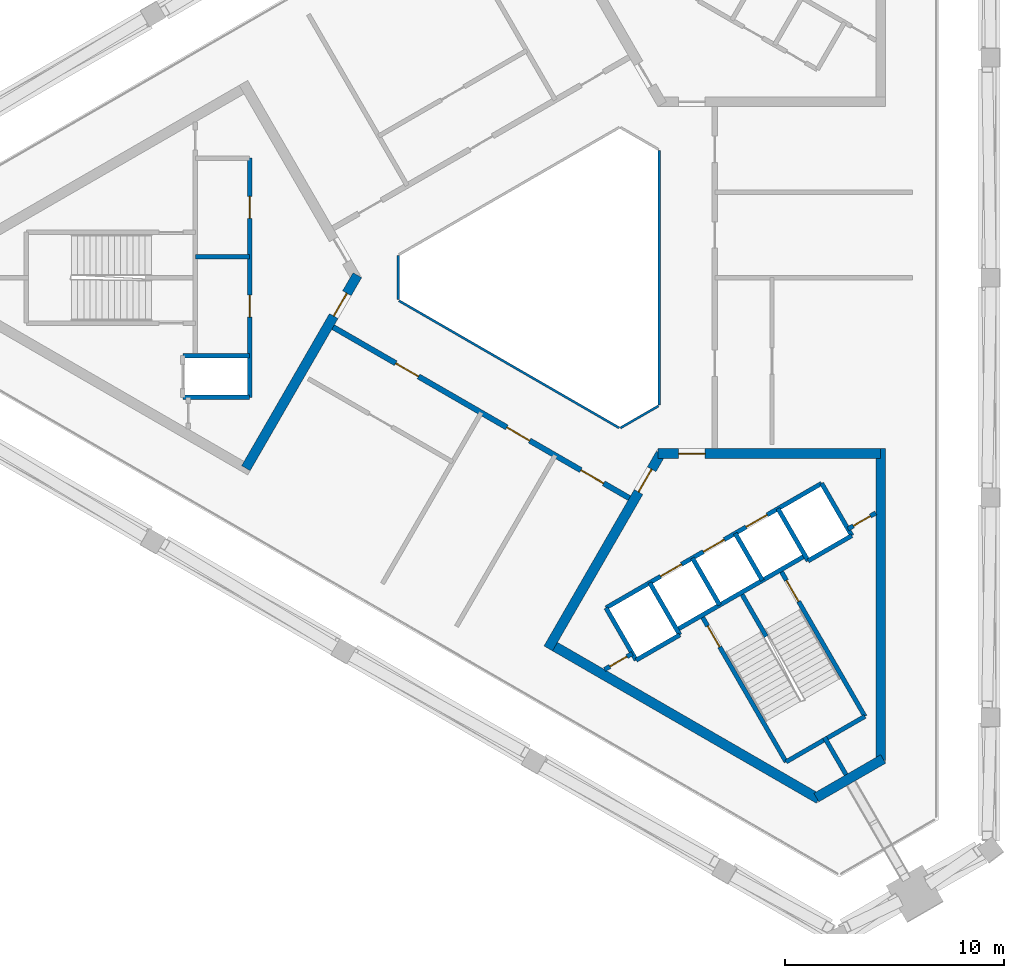
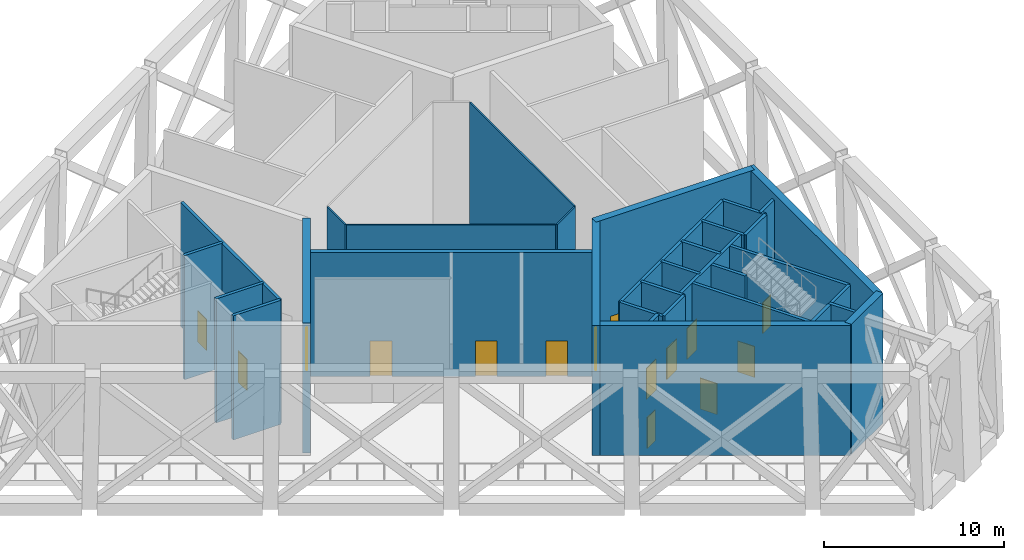
# One storey, part 4 of 8: 32 walls, 15 doors, 15 openings.
"""IFC4 building model written with IfcOpenShell, lengths in metres."""

from ifc_helpers import new_model, si_unit, direction, frame, frame_2d, origin, place, context, subcontext, project, spatial, rectangle, extrude, material, layer, layer_set, type_object, element, fill, save


model = new_model("IFC4")

# Units and contexts
model_context = context("Model", 3, precision=1e-05, world=origin(), true_north=direction((0.0, 1.0)))
body_context = subcontext(model_context, "Body", "Model", "MODEL_VIEW")
ifc_project = project(units=[si_unit("LENGTHUNIT", "METRE"), si_unit("AREAUNIT", "SQUARE_METRE"), si_unit("VOLUMEUNIT", "CUBIC_METRE"), si_unit("PLANEANGLEUNIT", "RADIAN"), si_unit("MASSUNIT", "GRAM", prefix="KILO")], contexts=[model_context])

# Site, building, storey
site_placement = place(None, origin())
site = spatial("IfcSite", under=ifc_project, at=site_placement, CompositionType="ELEMENT")
building_placement = place(site_placement, origin())
building = spatial("IfcBuilding", under=site, at=building_placement, Name="Jabali Bay Hotel Tower and Convention Centre", CompositionType="ELEMENT")
storey_placement = place(building_placement, frame((0.0, 0.0, 246.5)))
storey = spatial("IfcBuildingStorey", under=building, at=storey_placement, Name="L61", CompositionType="ELEMENT", Elevation=246.5)

# Walls
ifc_material_1 = material(Name="Fire-resistant glazing", Category="glass")
ifc_layer_1 = layer(ifc_material_1, 0.10009765625)
ifc_layer_set_1 = layer_set([ifc_layer_1], Name="Fire-resistant glazing")
wall_type_1 = type_object("IfcWallType", Name="Atrium glazed screen 100", PredefinedType="PARTITIONING", material=ifc_layer_set_1)
wall_1_placement = place(storey_placement, frame((79.56005859375, 74.205810546875, 0.0), z_axis=(0.0, 0.0, 1.0), x_axis=(0.0, 1.0, 0.0)))
element("IfcWall", 1, at=wall_1_placement, inside=storey, type_object=wall_type_1, Name="Atrium screen 1 L61", PredefinedType="PARTITIONING", context=body_context, shape_type="SweptSolid", body=[
    extrude(rectangle(XDim=11.58837890625, YDim=0.10009765625, at=frame_2d((5.794189453125, 0.0))), origin(), (0.0, 0.0, 1.0), 8.39990234375),
])
wall_2_placement = place(storey_placement, frame((67.672119140625, 81.0, 0.0), z_axis=(0.0, 0.0, 1.0), x_axis=(0.0, -1.0, 0.0)))
element("IfcWall", 2, at=wall_2_placement, inside=storey, type_object=wall_type_1, Name="Atrium screen 4 L61", PredefinedType="PARTITIONING", context=body_context, shape_type="SweptSolid", body=[
    extrude(rectangle(XDim=2.0, YDim=0.10009765625, at=frame_2d((1.0, 0.0))), origin(), (0.0, 0.0, 1.0), 8.39990234375),
])
wall_3_placement = place(storey_placement, frame((67.7021484375, 78.947998046875, 0.0), z_axis=(0.0, 0.0, 1.0), x_axis=(0.866026658274, -0.499997827154, 0.0)))
element("IfcWall", 3, at=wall_3_placement, inside=storey, type_object=wall_type_1, Name="Atrium screen 5 L61", PredefinedType="PARTITIONING", context=body_context, shape_type="SweptSolid", body=[
    extrude(rectangle(XDim=11.58837890625, YDim=0.10009765625, at=frame_2d((5.794189453125, 0.0))), origin(), (0.0, 0.0, 1.0), 8.39990234375),
])
wall_4_placement = place(storey_placement, frame((77.7978515625, 73.15380859375, 0.0), z_axis=(0.0, 0.0, 1.0), x_axis=(0.866041268327, 0.499972520799, 0.0)))
element("IfcWall", 4, at=wall_4_placement, inside=storey, type_object=wall_type_1, Name="Atrium screen 6 L61", PredefinedType="PARTITIONING", context=body_context, shape_type="SweptSolid", body=[
    extrude(rectangle(XDim=2.0, YDim=0.10009765625, at=frame_2d((1.0, 0.0))), origin(), (0.0, 0.0, 1.0), 8.39990234375),
])
ifc_material_2 = material(Name="Concrete C40", Category="concrete")
ifc_layer_2 = layer(ifc_material_2, 0.199951171875)
ifc_layer_set_2 = layer_set([ifc_layer_2], Name="Concrete C40")
wall_type_2 = type_object("IfcWallType", Name="Core partition wall 200", PredefinedType="PARTITIONING", material=ifc_layer_set_2)
wall_5_placement = place(storey_placement, frame((87.090087890625, 59.0595703125, 0.0), z_axis=(0.0, 0.0, 1.0), x_axis=(0.500011643316, -0.866018681408, 0.0)))
element("IfcWall", 5, at=wall_5_placement, inside=storey, type_object=wall_type_2, Name="Core wall 2.5 L61", PredefinedType="PARTITIONING", context=body_context, shape_type="SweptSolid", body=[
    extrude(rectangle(XDim=1.97314453125, YDim=0.199951171875, at=frame_2d((0.986572265625, 0.0))), origin(), (0.0, 0.0, 1.0), 8.39990234375),
])

# Wall, opening, door
wall_6_placement = place(storey_placement, frame((77.070068359375, 62.142578125, 0.0), z_axis=(0.0, 0.0, 1.0), x_axis=(0.866013036001, 0.500021421018, 0.0)))
wall_6 = element("IfcWall", 6, at=wall_6_placement, inside=storey, type_object=wall_type_2, Name="Core wall 2.11 L61", PredefinedType="PARTITIONING", context=body_context, shape_type="SweptSolid", body=[
    extrude(rectangle(XDim=1.4609375, YDim=0.199951171875, at=frame_2d((0.73046875, 0.0))), origin(), (0.0, 0.0, 1.0), 8.39990234375),
])
opening_1_placement = place(wall_6_placement, frame((0.280517578125, 0.0, 0.0)))
opening_1 = element("IfcOpeningElement", 7, at=opening_1_placement, cuts=wall_6, Name="Opening D1349", PredefinedType="OPENING", context=body_context, shape_type="SweptSolid", body=[
    extrude(rectangle(XDim=0.89990234375, YDim=2.10009765625, at=frame_2d((0.449951171875, 1.050048828125))), frame((0.0, 0.1103515625, 0.0), z_axis=(0.0, -1.0, 0.0), x_axis=(1.0, 0.0, 0.0)), (0.0, 0.0, 1.0), 0.220947265625),
])
ifc_material_3 = material(Name="Fire-rated steel door", Category="steel")
door_type_1 = type_object("IfcDoorType", Name="Vestibule fire door 900 x 2100", OperationType="NOTDEFINED", PredefinedType="NOTDEFINED", material=ifc_material_3)
door_1_placement = place(opening_1_placement, origin())
door_1 = element("IfcDoor", 8, at=door_1_placement, inside=storey, type_object=door_type_1, Name="Vestibule fire door D1349", OperationType="SINGLE_SWING_LEFT", OverallHeight=2.10009765625, OverallWidth=0.89990234375, PredefinedType="NOTDEFINED", context=body_context, shape_type="SweptSolid", body=[
    extrude(rectangle(XDim=0.89990234375, YDim=2.10009765625, at=frame_2d((0.449951171875, 1.050048828125))), frame((0.0, 0.02490234375, 0.0), z_axis=(0.0, -1.0, 0.0), x_axis=(1.0, 0.0, 0.0)), (0.0, 0.0, 1.0), 0.050048828125),
])
fill(opening_1, door_1)

wall_7_placement = place(storey_placement, frame((88.164794921875, 68.548095703125, 0.0), z_axis=(0.0, 0.0, 1.0), x_axis=(0.866013036001, 0.500021421018, 0.0)))
wall_7 = element("IfcWall", 9, at=wall_7_placement, inside=storey, type_object=wall_type_2, Name="Core wall 2.12 L61", PredefinedType="PARTITIONING", context=body_context, shape_type="SweptSolid", body=[
    extrude(rectangle(XDim=1.4609375, YDim=0.199951171875, at=frame_2d((0.73046875, 0.0))), origin(), (0.0, 0.0, 1.0), 8.39990234375),
])
opening_2_placement = place(wall_7_placement, frame((0.280517578125, 0.0, 0.0)))
opening_2 = element("IfcOpeningElement", 10, at=opening_2_placement, cuts=wall_7, Name="Opening D1348", PredefinedType="OPENING", context=body_context, shape_type="SweptSolid", body=[
    extrude(rectangle(XDim=0.89990234375, YDim=2.10009765625, at=frame_2d((0.449951171875, 1.050048828125))), frame((0.0, 0.1103515625, 0.0), z_axis=(0.0, -1.0, 0.0), x_axis=(1.0, 0.0, 0.0)), (0.0, 0.0, 1.0), 0.220947265625),
])
door_2_placement = place(opening_2_placement, origin())
door_2 = element("IfcDoor", 11, at=door_2_placement, inside=storey, type_object=door_type_1, Name="Vestibule fire door D1348", OperationType="SINGLE_SWING_LEFT", OverallHeight=2.10009765625, OverallWidth=0.89990234375, PredefinedType="NOTDEFINED", context=body_context, shape_type="SweptSolid", body=[
    extrude(rectangle(XDim=0.89990234375, YDim=2.10009765625, at=frame_2d((0.449951171875, 1.050048828125))), frame((0.0, 0.02490234375, 0.0), z_axis=(0.0, -1.0, 0.0), x_axis=(1.0, 0.0, 0.0)), (0.0, 0.0, 1.0), 0.050048828125),
])
fill(opening_2, door_2)

# Walls
ifc_layer_3 = layer(ifc_material_2, 0.199951171875)
ifc_layer_set_3 = layer_set([ifc_layer_3], Name="Concrete C40")
wall_type_3 = type_object("IfcWallType", Name="Core stair wall 200", PredefinedType="SOLIDWALL", material=ifc_layer_set_3)
wall_8_placement = place(storey_placement, frame((60.89990234375, 80.949951171875, 0.0), z_axis=(0.0, 0.0, 1.0), x_axis=(-1.0, 0.0, 0.0)))
element("IfcWall", 12, at=wall_8_placement, inside=storey, type_object=wall_type_3, Name="Core wall 0.2 L61", PredefinedType="SOLIDWALL", context=body_context, shape_type="SweptSolid", body=[
    extrude(rectangle(XDim=2.47998046875, YDim=0.199951171875, at=frame_2d((1.239990234375, 0.0))), origin(), (0.0, 0.0, 1.0), 8.39990234375),
])
for number, where, z_axis, x_axis, name in (
    (13, (60.89990234375, 76.449951171875, 0.0), (0.0, 0.0, 1.0), (-1.0, 0.0, 0.0), "Core wall 0.6 L61"),
    (14, (60.89990234375, 74.550048828125, 0.0), (0.0, 0.0, 1.0), (-1.0, 0.0, 0.0), "Core wall 0.7 L61"),
):
    element("IfcWall", number, at=place(storey_placement, frame(where, z_axis=z_axis, x_axis=x_axis)), inside=storey, type_object=wall_type_3, Name=name, PredefinedType="SOLIDWALL", context=body_context, shape_type="SweptSolid", body=[
        extrude(rectangle(XDim=3.0498046875, YDim=0.199951171875, at=frame_2d((1.52490234375, 0.0))), origin(), (0.0, 0.0, 1.0), 8.39990234375),
    ])

# Wall, openings, doors
wall_9_placement = place(storey_placement, frame((60.89990234375, 85.449951171875, 0.0), z_axis=(0.0, 0.0, 1.0), x_axis=(0.0, -1.0, 0.0)))
wall_9 = element("IfcWall", 15, at=wall_9_placement, inside=storey, type_object=wall_type_3, Name="Core wall 0.8 L61", PredefinedType="SOLIDWALL", context=body_context, shape_type="SweptSolid", body=[
    extrude(rectangle(XDim=10.89990234375, YDim=0.199951171875, at=frame_2d((5.449951171875, 0.0))), origin(), (0.0, 0.0, 1.0), 8.39990234375),
])
opening_3_placement = place(wall_9_placement, frame((1.75, 0.0, 0.0)))
opening_3 = element("IfcOpeningElement", 16, at=opening_3_placement, cuts=wall_9, Name="Opening D1331", PredefinedType="OPENING", context=body_context, shape_type="SweptSolid", body=[
    extrude(rectangle(XDim=1.0, YDim=2.10009765625, at=frame_2d((0.5, 1.050048828125))), frame((0.0, 0.1103515625, 0.0), z_axis=(0.0, -1.0, 0.0), x_axis=(1.0, 0.0, 0.0)), (0.0, 0.0, 1.0), 0.220947265625),
])
opening_4_placement = place(wall_9_placement, frame((6.25, 0.0, 0.0)))
opening_4 = element("IfcOpeningElement", 17, at=opening_4_placement, cuts=wall_9, Name="Opening D1332", PredefinedType="OPENING", context=body_context, shape_type="SweptSolid", body=[
    extrude(rectangle(XDim=1.0, YDim=2.10009765625, at=frame_2d((0.5, 1.050048828125))), frame((0.0, 0.1103515625, 0.0), z_axis=(0.0, -1.0, 0.0), x_axis=(1.0, 0.0, 0.0)), (0.0, 0.0, 1.0), 0.220947265625),
])
door_type_2 = type_object("IfcDoorType", Name="Core room door 1000 x 2100", OperationType="NOTDEFINED", PredefinedType="NOTDEFINED", material=ifc_material_3)
door_3_placement = place(opening_3_placement, origin())
door_3 = element("IfcDoor", 18, at=door_3_placement, inside=storey, type_object=door_type_2, Name="Core room door D1331", OperationType="SINGLE_SWING_RIGHT", OverallHeight=2.10009765625, OverallWidth=1.0, PredefinedType="NOTDEFINED", context=body_context, shape_type="SweptSolid", body=[
    extrude(rectangle(XDim=1.0, YDim=2.10009765625, at=frame_2d((0.5, 1.050048828125))), frame((0.0, 0.02490234375, 0.0), z_axis=(0.0, -1.0, 0.0), x_axis=(1.0, 0.0, 0.0)), (0.0, 0.0, 1.0), 0.050048828125),
])
fill(opening_3, door_3)
door_4_placement = place(opening_4_placement, origin())
door_4 = element("IfcDoor", 19, at=door_4_placement, inside=storey, type_object=door_type_2, Name="Core room door D1332", OperationType="SINGLE_SWING_RIGHT", OverallHeight=2.10009765625, OverallWidth=1.0, PredefinedType="NOTDEFINED", context=body_context, shape_type="SweptSolid", body=[
    extrude(rectangle(XDim=1.0, YDim=2.10009765625, at=frame_2d((0.5, 1.050048828125))), frame((0.0, 0.02490234375, 0.0), z_axis=(0.0, -1.0, 0.0), x_axis=(1.0, 0.0, 0.0)), (0.0, 0.0, 1.0), 0.050048828125),
])
fill(opening_4, door_4)

# Walls
for number, where, z_axis, x_axis, name in (
    (20, (77.13525390625, 64.95166015625, 0.0), (0.0, 0.0, 1.0), (0.499996545922, -0.866027397988, 0.0), "Core wall 2.0 L61"),
    (21, (79.127197265625, 66.1015625, 0.0), (0.0, 0.0, 1.0), (0.499996545922, -0.866027397988, 0.0), "Core wall 2.1 L61"),
):
    element("IfcWall", number, at=place(storey_placement, frame(where, z_axis=z_axis, x_axis=x_axis)), inside=storey, type_object=wall_type_3, Name=name, PredefinedType="SOLIDWALL", context=body_context, shape_type="SweptSolid", body=[
        extrude(rectangle(XDim=2.75, YDim=0.199951171875, at=frame_2d((1.375, 0.0))), origin(), (0.0, 0.0, 1.0), 8.39990234375),
    ])

# Wall, opening, door
wall_10_placement = place(storey_placement, frame((81.492919921875, 64.603759765625, 0.0), z_axis=(0.0, 0.0, 1.0), x_axis=(0.500006057782, -0.866021906294, 0.0)))
wall_10 = element("IfcWall", 22, at=wall_10_placement, inside=storey, type_object=wall_type_3, Name="Core wall 2.2 L61", PredefinedType="SOLIDWALL", context=body_context, shape_type="SweptSolid", body=[
    extrude(rectangle(XDim=7.7001953125, YDim=0.199951171875, at=frame_2d((3.85009765625, 0.0))), origin(), (0.0, 0.0, 1.0), 8.39990234375),
])
opening_5_placement = place(wall_10_placement, frame((0.550048828125, 0.0, 0.0)))
opening_5 = element("IfcOpeningElement", 23, at=opening_5_placement, cuts=wall_10, Name="Opening D1351", PredefinedType="OPENING", context=body_context, shape_type="SweptSolid", body=[
    extrude(rectangle(XDim=1.10009765625, YDim=2.10009765625, at=frame_2d((0.550048828125, 1.050048828125))), frame((0.0, 0.1103515625, 0.0), z_axis=(0.0, -1.0, 0.0), x_axis=(1.0, 0.0, 0.0)), (0.0, 0.0, 1.0), 0.220947265625),
])
door_type_3 = type_object("IfcDoorType", Name="Stair fire door 1100 x 2100", OperationType="NOTDEFINED", PredefinedType="NOTDEFINED", material=ifc_material_3)
door_5_placement = place(opening_5_placement, origin())
door_5 = element("IfcDoor", 24, at=door_5_placement, inside=storey, type_object=door_type_3, Name="Stair fire door D1351", OperationType="SINGLE_SWING_LEFT", OverallHeight=2.10009765625, OverallWidth=1.10009765625, PredefinedType="NOTDEFINED", context=body_context, shape_type="SweptSolid", body=[
    extrude(rectangle(XDim=1.10009765625, YDim=2.10009765625, at=frame_2d((0.550048828125, 1.050048828125))), frame((0.0, 0.02490234375, 0.0), z_axis=(0.0, -1.0, 0.0), x_axis=(1.0, 0.0, 0.0)), (0.0, 0.0, 1.0), 0.050048828125),
])
fill(opening_5, door_5)

# Walls
wall_11_placement = place(storey_placement, frame((81.07568359375, 67.2265625, 0.0), z_axis=(0.0, 0.0, 1.0), x_axis=(0.50000366821, -0.866023285932, 0.0)))
element("IfcWall", 25, at=wall_11_placement, inside=storey, type_object=wall_type_3, Name="Core wall 2.3 L61", PredefinedType="SOLIDWALL", context=body_context, shape_type="SweptSolid", body=[
    extrude(rectangle(XDim=2.47998046875, YDim=0.199951171875, at=frame_2d((1.239990234375, 0.0))), origin(), (0.0, 0.0, 1.0), 8.39990234375),
])
wall_12_placement = place(storey_placement, frame((83.340087890625, 65.5546875, 0.0), z_axis=(0.0, 0.0, 1.0), x_axis=(0.499946605688, -0.86605622881, 0.0)))
element("IfcWall", 26, at=wall_12_placement, inside=storey, type_object=wall_type_3, Name="Core wall 2.4 L61", PredefinedType="SOLIDWALL", context=body_context, shape_type="SweptSolid", body=[
    extrude(rectangle(XDim=2.199951171875, YDim=0.199951171875, at=frame_2d((1.10009765625, 0.0))), origin(), (0.0, 0.0, 1.0), 8.39990234375),
])
wall_13_placement = place(storey_placement, frame((83.024169921875, 68.3515625, 0.0), z_axis=(0.0, 0.0, 1.0), x_axis=(0.50000366821, -0.866023285932, 0.0)))
element("IfcWall", 27, at=wall_13_placement, inside=storey, type_object=wall_type_3, Name="Core wall 2.6 L61", PredefinedType="SOLIDWALL", context=body_context, shape_type="SweptSolid", body=[
    extrude(rectangle(XDim=2.47998046875, YDim=0.199951171875, at=frame_2d((1.239990234375, 0.0))), origin(), (0.0, 0.0, 1.0), 8.39990234375),
])

# Wall, opening, door
wall_14_placement = place(storey_placement, frame((85.0869140625, 66.6787109375, 0.0), z_axis=(0.0, 0.0, 1.0), x_axis=(0.500019787375, -0.866013979237, 0.0)))
wall_14 = element("IfcWall", 28, at=wall_14_placement, inside=storey, type_object=wall_type_3, Name="Core wall 2.7 L61", PredefinedType="SOLIDWALL", context=body_context, shape_type="SweptSolid", body=[
    extrude(rectangle(XDim=7.699951171875, YDim=0.199951171875, at=frame_2d((3.85009765625, 0.0))), origin(), (0.0, 0.0, 1.0), 8.39990234375),
])
opening_6_placement = place(wall_14_placement, frame((0.550048828125, 0.0, 0.0)))
opening_6 = element("IfcOpeningElement", 29, at=opening_6_placement, cuts=wall_14, Name="Opening D1350", PredefinedType="OPENING", context=body_context, shape_type="SweptSolid", body=[
    extrude(rectangle(XDim=1.10009765625, YDim=2.10009765625, at=frame_2d((0.550048828125, 1.050048828125))), frame((0.0, 0.1103515625, 0.0), z_axis=(0.0, -1.0, 0.0), x_axis=(1.0, 0.0, 0.0)), (0.0, 0.0, 1.0), 0.220947265625),
])
door_6_placement = place(opening_6_placement, origin())
door_6 = element("IfcDoor", 30, at=door_6_placement, inside=storey, type_object=door_type_3, Name="Stair fire door D1350", OperationType="SINGLE_SWING_RIGHT", OverallHeight=2.10009765625, OverallWidth=1.10009765625, PredefinedType="NOTDEFINED", context=body_context, shape_type="SweptSolid", body=[
    extrude(rectangle(XDim=1.10009765625, YDim=2.10009765625, at=frame_2d((0.550048828125, 1.050048828125))), frame((0.0, 0.02490234375, 0.0), z_axis=(0.0, -1.0, 0.0), x_axis=(1.0, 0.0, 0.0)), (0.0, 0.0, 1.0), 0.050048828125),
])
fill(opening_6, door_6)

# Walls
for number, where, z_axis, x_axis, name in (
    (31, (84.972900390625, 69.4765625, 0.0), (0.0, 0.0, 1.0), (0.499996545922, -0.866027397988, 0.0), "Core wall 2.8 L61"),
    (32, (86.964599609375, 70.62646484375, 0.0), (0.0, 0.0, 1.0), (0.499996545922, -0.866027397988, 0.0), "Core wall 2.9 L61"),
):
    element("IfcWall", number, at=place(storey_placement, frame(where, z_axis=z_axis, x_axis=x_axis)), inside=storey, type_object=wall_type_3, Name=name, PredefinedType="SOLIDWALL", context=body_context, shape_type="SweptSolid", body=[
        extrude(rectangle(XDim=2.75, YDim=0.199951171875, at=frame_2d((1.375, 0.0))), origin(), (0.0, 0.0, 1.0), 8.39990234375),
    ])

# Wall, openings, doors
wall_15_placement = place(storey_placement, frame((77.13525390625, 64.95166015625, 0.0), z_axis=(0.0, 0.0, 1.0), x_axis=(0.866031916153, 0.499988720078, 0.0)))
wall_15 = element("IfcWall", 33, at=wall_15_placement, inside=storey, type_object=wall_type_3, Name="Core wall 2.10 L61", PredefinedType="SOLIDWALL", context=body_context, shape_type="SweptSolid", body=[
    extrude(rectangle(XDim=11.349853515625, YDim=0.199951171875, at=frame_2d((5.6748046875, 0.0))), origin(), (0.0, 0.0, 1.0), 8.39990234375),
])
opening_7_placement = place(wall_15_placement, frame((2.875, 0.0, 0.0)))
opening_7 = element("IfcOpeningElement", 34, at=opening_7_placement, cuts=wall_15, Name="Opening LD12-L61", PredefinedType="OPENING", context=body_context, shape_type="SweptSolid", body=[
    extrude(rectangle(XDim=1.10009765625, YDim=2.10009765625, at=frame_2d((0.550048828125, 1.050048828125))), frame((0.0, 0.1103515625, 0.0), z_axis=(0.0, -1.0, 0.0), x_axis=(1.0, 0.0, 0.0)), (0.0, 0.0, 1.0), 0.220947265625),
])
opening_8_placement = place(wall_15_placement, frame((5.125, 0.0, 0.0)))
opening_8 = element("IfcOpeningElement", 35, at=opening_8_placement, cuts=wall_15, Name="Opening LD13-L61", PredefinedType="OPENING", context=body_context, shape_type="SweptSolid", body=[
    extrude(rectangle(XDim=1.10009765625, YDim=2.10009765625, at=frame_2d((0.550048828125, 1.050048828125))), frame((0.0, 0.1103515625, 0.0), z_axis=(0.0, -1.0, 0.0), x_axis=(1.0, 0.0, 0.0)), (0.0, 0.0, 1.0), 0.220947265625),
])
opening_9_placement = place(wall_15_placement, frame((7.375, 0.0, 0.0)))
opening_9 = element("IfcOpeningElement", 36, at=opening_9_placement, cuts=wall_15, Name="Opening LD14-L61", PredefinedType="OPENING", context=body_context, shape_type="SweptSolid", body=[
    extrude(rectangle(XDim=1.10009765625, YDim=2.10009765625, at=frame_2d((0.550048828125, 1.050048828125))), frame((0.0, 0.1103515625, 0.0), z_axis=(0.0, -1.0, 0.0), x_axis=(1.0, 0.0, 0.0)), (0.0, 0.0, 1.0), 0.220947265625),
])
ifc_material_4 = material(Name="Stainless steel landing door", Category="steel")
door_type_4 = type_object("IfcDoorType", Name="Landing door 1100 x 2100", OperationType="NOTDEFINED", PredefinedType="NOTDEFINED", material=ifc_material_4)
door_7_placement = place(opening_7_placement, origin())
door_7 = element("IfcDoor", 37, at=door_7_placement, inside=storey, type_object=door_type_4, Name="Landing doors LD12-L61", OperationType="SLIDING_TO_LEFT", OverallHeight=2.10009765625, OverallWidth=1.10009765625, PredefinedType="NOTDEFINED", context=body_context, shape_type="SweptSolid", body=[
    extrude(rectangle(XDim=1.10009765625, YDim=2.10009765625, at=frame_2d((0.550048828125, 1.050048828125))), frame((0.0, 0.02490234375, 0.0), z_axis=(0.0, -1.0, 0.0), x_axis=(1.0, 0.0, 0.0)), (0.0, 0.0, 1.0), 0.050048828125),
])
fill(opening_7, door_7)
door_8_placement = place(opening_8_placement, origin())
door_8 = element("IfcDoor", 38, at=door_8_placement, inside=storey, type_object=door_type_4, Name="Landing doors LD13-L61", OperationType="SLIDING_TO_RIGHT", OverallHeight=2.10009765625, OverallWidth=1.10009765625, PredefinedType="NOTDEFINED", context=body_context, shape_type="SweptSolid", body=[
    extrude(rectangle(XDim=1.10009765625, YDim=2.10009765625, at=frame_2d((0.550048828125, 1.050048828125))), frame((0.0, 0.02490234375, 0.0), z_axis=(0.0, -1.0, 0.0), x_axis=(1.0, 0.0, 0.0)), (0.0, 0.0, 1.0), 0.050048828125),
])
fill(opening_8, door_8)
door_9_placement = place(opening_9_placement, origin())
door_9 = element("IfcDoor", 39, at=door_9_placement, inside=storey, type_object=door_type_4, Name="Landing doors LD14-L61", OperationType="SLIDING_TO_LEFT", OverallHeight=2.10009765625, OverallWidth=1.10009765625, PredefinedType="NOTDEFINED", context=body_context, shape_type="SweptSolid", body=[
    extrude(rectangle(XDim=1.10009765625, YDim=2.10009765625, at=frame_2d((0.550048828125, 1.050048828125))), frame((0.0, 0.02490234375, 0.0), z_axis=(0.0, -1.0, 0.0), x_axis=(1.0, 0.0, 0.0)), (0.0, 0.0, 1.0), 0.050048828125),
])
fill(opening_9, door_9)

# Walls
wall_16_placement = place(storey_placement, frame((80.3671875, 63.953857421875, 0.0), z_axis=(0.0, 0.0, 1.0), x_axis=(0.866026575979, 0.499997969693, 0.0)))
element("IfcWall", 40, at=wall_16_placement, inside=storey, type_object=wall_type_3, Name="Core wall 2.13 L61", PredefinedType="SOLIDWALL", context=body_context, shape_type="SweptSolid", body=[
    extrude(rectangle(XDim=6.75, YDim=0.199951171875, at=frame_2d((3.375, 0.0))), origin(), (0.0, 0.0, 1.0), 8.39990234375),
])
wall_17_placement = place(storey_placement, frame((78.51025390625, 62.570068359375, 0.0), z_axis=(0.0, 0.0, 1.0), x_axis=(0.866053019151, 0.499952165731, 0.0)))
element("IfcWall", 41, at=wall_17_placement, inside=storey, type_object=wall_type_3, Name="Core wall 2.14 L61", PredefinedType="SOLIDWALL", context=body_context, shape_type="SweptSolid", body=[
    extrude(rectangle(XDim=2.300048828125, YDim=0.199951171875, at=frame_2d((1.14990234375, 0.0))), origin(), (0.0, 0.0, 1.0), 8.39990234375),
])
wall_18_placement = place(storey_placement, frame((86.347900390625, 67.094970703125, 0.0), z_axis=(0.0, 0.0, 1.0), x_axis=(0.86602648383, 0.499998129301, 0.0)))
element("IfcWall", 42, at=wall_18_placement, inside=storey, type_object=wall_type_3, Name="Core wall 2.15 L61", PredefinedType="SOLIDWALL", context=body_context, shape_type="SweptSolid", body=[
    extrude(rectangle(XDim=2.2998046875, YDim=0.199951171875, at=frame_2d((1.14990234375, 0.0))), origin(), (0.0, 0.0, 1.0), 8.39990234375),
])
wall_19_placement = place(storey_placement, frame((85.343017578125, 57.935302734375, 0.0), z_axis=(0.0, 0.0, 1.0), x_axis=(0.866004344652, 0.500036473714, 0.0)))
element("IfcWall", 43, at=wall_19_placement, inside=storey, type_object=wall_type_3, Name="Core wall 2.16 L61", PredefinedType="SOLIDWALL", context=body_context, shape_type="SweptSolid", body=[
    extrude(rectangle(XDim=4.150146484375, YDim=0.199951171875, at=frame_2d((2.0751953125, 0.0))), origin(), (0.0, 0.0, 1.0), 8.39990234375),
])

# Wall, opening, door
ifc_material_5 = material(Name="Concrete C60", Category="concrete")
ifc_layer_4 = layer(ifc_material_5, 0.449951171875)
ifc_layer_set_4 = layer_set([ifc_layer_4], Name="Concrete C60")
wall_type_4 = type_object("IfcWallType", Name="Core wall 450", PredefinedType="SHEAR", material=ifc_layer_set_4)
wall_20_placement = place(storey_placement, frame((60.7275390625, 71.318115234375, 0.0), z_axis=(0.0, 0.0, 1.0), x_axis=(0.500012416173, 0.866018235185, 0.0)))
wall_20 = element("IfcWall", 44, at=wall_20_placement, inside=storey, type_object=wall_type_4, Name="Core wall 1.5 L61", PredefinedType="SHEAR", context=body_context, shape_type="SweptSolid", body=[
    extrude(rectangle(XDim=10.155029296875, YDim=0.449951171875, at=frame_2d((5.07763671875, 0.0))), origin(), (0.0, 0.0, 1.0), 8.800048828125),
])
opening_10_placement = place(wall_20_placement, frame((8.0048828125, 0.0, 0.0)))
opening_10 = element("IfcOpeningElement", 45, at=opening_10_placement, cuts=wall_20, Name="Opening D1330", PredefinedType="OPENING", context=body_context, shape_type="SweptSolid", body=[
    extrude(rectangle(XDim=1.199951171875, YDim=2.10009765625, at=frame_2d((0.60009765625, 1.050048828125))), frame((0.0, 0.2353515625, 0.0), z_axis=(0.0, -1.0, 0.0), x_axis=(1.0, 0.0, 0.0)), (0.0, 0.0, 1.0), 0.470947265625),
])
door_type_5 = type_object("IfcDoorType", Name="Corridor end fire door 1200 x 2100", OperationType="NOTDEFINED", PredefinedType="NOTDEFINED", material=ifc_material_3)
door_10_placement = place(opening_10_placement, origin())
door_10 = element("IfcDoor", 46, at=door_10_placement, inside=storey, type_object=door_type_5, Name="Corridor end fire door D1330", OperationType="SINGLE_SWING_LEFT", OverallHeight=2.10009765625, OverallWidth=1.199951171875, PredefinedType="NOTDEFINED", context=body_context, shape_type="SweptSolid", body=[
    extrude(rectangle(XDim=1.199951171875, YDim=2.10009765625, at=frame_2d((0.60009765625, 1.050048828125))), frame((0.0, 0.02490234375, 0.0), z_axis=(0.0, -1.0, 0.0), x_axis=(1.0, 0.0, 0.0)), (0.0, 0.0, 1.0), 0.050048828125),
])
fill(opening_10, door_10)

wall_21_placement = place(storey_placement, frame((79.6298828125, 71.980712890625, 0.0), z_axis=(0.0, 0.0, 1.0), x_axis=(-0.500002171595, -0.86602415001, 0.0)))
wall_21 = element("IfcWall", 47, at=wall_21_placement, inside=storey, type_object=wall_type_4, Name="Core wall 3.1 L61", PredefinedType="SHEAR", context=body_context, shape_type="SweptSolid", body=[
    extrude(rectangle(XDim=10.25, YDim=0.449951171875, at=frame_2d((5.125, 0.0))), origin(), (0.0, 0.0, 1.0), 8.800048828125),
])
opening_11_placement = place(wall_21_placement, frame((0.820068359375, 0.0, 0.0)))
opening_11 = element("IfcOpeningElement", 48, at=opening_11_placement, cuts=wall_21, Name="Opening D1346", PredefinedType="OPENING", context=body_context, shape_type="SweptSolid", body=[
    extrude(rectangle(XDim=1.199951171875, YDim=2.10009765625, at=frame_2d((0.60009765625, 1.050048828125))), frame((0.0, 0.2353515625, 0.0), z_axis=(0.0, -1.0, 0.0), x_axis=(1.0, 0.0, 0.0)), (0.0, 0.0, 1.0), 0.470947265625),
])
door_11_placement = place(opening_11_placement, origin())
door_11 = element("IfcDoor", 49, at=door_11_placement, inside=storey, type_object=door_type_5, Name="Corridor end fire door D1346", OperationType="SINGLE_SWING_RIGHT", OverallHeight=2.10009765625, OverallWidth=1.199951171875, PredefinedType="NOTDEFINED", context=body_context, shape_type="SweptSolid", body=[
    extrude(rectangle(XDim=1.199951171875, YDim=2.10009765625, at=frame_2d((0.60009765625, 1.050048828125))), frame((0.0, 0.02490234375, 0.0), z_axis=(0.0, -1.0, 0.0), x_axis=(1.0, 0.0, 0.0)), (0.0, 0.0, 1.0), 0.050048828125),
])
fill(opening_11, door_11)

# Walls
wall_22_placement = place(storey_placement, frame((74.617431640625, 63.298828125, 0.0), z_axis=(0.0, 0.0, 1.0), x_axis=(0.86602594008, -0.499999071108, 0.0)))
element("IfcWall", 50, at=wall_22_placement, inside=storey, type_object=wall_type_4, Name="Core wall 3.2 L61", PredefinedType="SHEAR", context=body_context, shape_type="SweptSolid", body=[
    extrude(rectangle(XDim=14.1083984375, YDim=0.449951171875, at=frame_2d((7.05419921875, 0.0))), origin(), (0.0, 0.0, 1.0), 8.800048828125),
])
wall_23_placement = place(storey_placement, frame((86.72314453125, 56.3095703125, 0.0), z_axis=(0.0, 0.0, 1.0), x_axis=(0.866042179588, 0.49997094233, 0.0)))
element("IfcWall", 51, at=wall_23_placement, inside=storey, type_object=wall_type_4, Name="Core wall 3.3 L61", PredefinedType="SHEAR", context=body_context, shape_type="SweptSolid", body=[
    extrude(rectangle(XDim=3.515380859375, YDim=0.449951171875, at=frame_2d((1.7578125, 0.0))), origin(), (0.0, 0.0, 1.0), 8.800048828125),
])
wall_24_placement = place(storey_placement, frame((89.655029296875, 58.002197265625, 0.0), z_axis=(0.0, 0.0, 1.0), x_axis=(0.0, 1.0, 0.0)))
element("IfcWall", 52, at=wall_24_placement, inside=storey, type_object=wall_type_4, Name="Core wall 3.4 L61", PredefinedType="SHEAR", context=body_context, shape_type="SweptSolid", body=[
    extrude(rectangle(XDim=14.20361328125, YDim=0.449951171875, at=frame_2d((7.101806640625, 0.0))), origin(), (0.0, 0.0, 1.0), 8.800048828125),
])

# Wall, opening, door
wall_25_placement = place(storey_placement, frame((89.655029296875, 71.980712890625, 0.0), z_axis=(0.0, 0.0, 1.0), x_axis=(-1.0, 0.0, 0.0)))
wall_25 = element("IfcWall", 53, at=wall_25_placement, inside=storey, type_object=wall_type_4, Name="Core wall 3.5 L61", PredefinedType="SHEAR", context=body_context, shape_type="SweptSolid", body=[
    extrude(rectangle(XDim=10.155029296875, YDim=0.449951171875, at=frame_2d((5.07763671875, 0.0))), origin(), (0.0, 0.0, 1.0), 8.800048828125),
])
opening_12_placement = place(wall_25_placement, frame((8.0048828125, 0.0, 0.0)))
opening_12 = element("IfcOpeningElement", 54, at=opening_12_placement, cuts=wall_25, Name="Opening D1347", PredefinedType="OPENING", context=body_context, shape_type="SweptSolid", body=[
    extrude(rectangle(XDim=1.199951171875, YDim=2.10009765625, at=frame_2d((0.60009765625, 1.050048828125))), frame((0.0, 0.2353515625, 0.0), z_axis=(0.0, -1.0, 0.0), x_axis=(1.0, 0.0, 0.0)), (0.0, 0.0, 1.0), 0.470947265625),
])
door_12_placement = place(opening_12_placement, origin())
door_12 = element("IfcDoor", 55, at=door_12_placement, inside=storey, type_object=door_type_5, Name="Corridor end fire door D1347", OperationType="SINGLE_SWING_LEFT", OverallHeight=2.10009765625, OverallWidth=1.199951171875, PredefinedType="NOTDEFINED", context=body_context, shape_type="SweptSolid", body=[
    extrude(rectangle(XDim=1.199951171875, YDim=2.10009765625, at=frame_2d((0.60009765625, 1.050048828125))), frame((0.0, 0.02490234375, 0.0), z_axis=(0.0, -1.0, 0.0), x_axis=(1.0, 0.0, 0.0)), (0.0, 0.0, 1.0), 0.050048828125),
])
fill(opening_12, door_12)

# Wall, openings, doors
ifc_layer_5 = layer(ifc_material_5, 0.25)
ifc_layer_set_5 = layer_set([ifc_layer_5], Name="Concrete C60")
wall_type_5 = type_object("IfcWallType", Name="Corridor wall 250", PredefinedType="SHEAR", material=ifc_layer_set_5)
wall_26_placement = place(storey_placement, frame((64.699951171875, 77.748291015625, 0.0), z_axis=(0.0, 0.0, 1.0), x_axis=(0.866026492143, -0.499998114903, 0.0)))
wall_26 = element("IfcWall", 56, at=wall_26_placement, inside=storey, type_object=wall_type_5, Name="Corridor wall 3 L61", PredefinedType="SHEAR", context=body_context, shape_type="SweptSolid", body=[
    extrude(rectangle(XDim=15.58837890625, YDim=0.25, at=frame_2d((7.794189453125, 0.0))), origin(), (0.0, 0.0, 1.0), 8.39990234375),
])
opening_13_placement = place(wall_26_placement, frame((3.297119140625, 0.0, 0.0)))
opening_13 = element("IfcOpeningElement", 57, at=opening_13_placement, cuts=wall_26, Name="Opening 6109", PredefinedType="OPENING", context=body_context, shape_type="SweptSolid", body=[
    extrude(rectangle(XDim=1.199951171875, YDim=2.39990234375, at=frame_2d((0.60009765625, 1.199951171875))), frame((0.0, 0.135498046875, 0.0), z_axis=(0.0, -1.0, 0.0), x_axis=(1.0, 0.0, 0.0)), (0.0, 0.0, 1.0), 0.27099609375),
])
opening_14_placement = place(wall_26_placement, frame((9.142822265625, 0.0, 0.0)))
opening_14 = element("IfcOpeningElement", 58, at=opening_14_placement, cuts=wall_26, Name="Opening 6111", PredefinedType="OPENING", context=body_context, shape_type="SweptSolid", body=[
    extrude(rectangle(XDim=1.199951171875, YDim=2.39990234375, at=frame_2d((0.60009765625, 1.199951171875))), frame((0.0, 0.135498046875, 0.0), z_axis=(0.0, -1.0, 0.0), x_axis=(1.0, 0.0, 0.0)), (0.0, 0.0, 1.0), 0.27099609375),
])
opening_15_placement = place(wall_26_placement, frame((13.039794921875, 0.0, 0.0)))
opening_15 = element("IfcOpeningElement", 59, at=opening_15_placement, cuts=wall_26, Name="Opening 6112", PredefinedType="OPENING", context=body_context, shape_type="SweptSolid", body=[
    extrude(rectangle(XDim=1.199951171875, YDim=2.39990234375, at=frame_2d((0.60009765625, 1.199951171875))), frame((0.0, 0.135498046875, 0.0), z_axis=(0.0, -1.0, 0.0), x_axis=(1.0, 0.0, 0.0)), (0.0, 0.0, 1.0), 0.27099609375),
])
ifc_material_6 = material(Name="Steel Q355B", Category="steel")
door_type_6 = type_object("IfcDoorType", Name="Plant room door 1200 x 2400", OperationType="NOTDEFINED", PredefinedType="NOTDEFINED", material=ifc_material_6)
door_13_placement = place(opening_14_placement, origin())
door_13 = element("IfcDoor", 60, at=door_13_placement, inside=storey, type_object=door_type_6, Name="Door 6111", OperationType="SINGLE_SWING_RIGHT", OverallHeight=2.39990234375, OverallWidth=1.199951171875, PredefinedType="NOTDEFINED", context=body_context, shape_type="SweptSolid", body=[
    extrude(rectangle(XDim=1.199951171875, YDim=2.39990234375, at=frame_2d((0.60009765625, 1.199951171875))), frame((0.0, 0.02490234375, 0.0), z_axis=(0.0, -1.0, 0.0), x_axis=(1.0, 0.0, 0.0)), (0.0, 0.0, 1.0), 0.050048828125),
])
fill(opening_14, door_13)
door_14_placement = place(opening_15_placement, origin())
door_14 = element("IfcDoor", 61, at=door_14_placement, inside=storey, type_object=door_type_6, Name="Door 6112", OperationType="SINGLE_SWING_RIGHT", OverallHeight=2.39990234375, OverallWidth=1.199951171875, PredefinedType="NOTDEFINED", context=body_context, shape_type="SweptSolid", body=[
    extrude(rectangle(XDim=1.199951171875, YDim=2.39990234375, at=frame_2d((0.60009765625, 1.199951171875))), frame((0.0, 0.02490234375, 0.0), z_axis=(0.0, -1.0, 0.0), x_axis=(1.0, 0.0, 0.0)), (0.0, 0.0, 1.0), 0.050048828125),
])
fill(opening_15, door_14)
door_type_7 = type_object("IfcDoorType", Name="Refuge hall door 1200 x 2400", OperationType="NOTDEFINED", PredefinedType="NOTDEFINED", material=ifc_material_6)
door_15_placement = place(opening_13_placement, origin())
door_15 = element("IfcDoor", 62, at=door_15_placement, inside=storey, type_object=door_type_7, Name="Door 6109", OperationType="SINGLE_SWING_LEFT", OverallHeight=2.39990234375, OverallWidth=1.199951171875, PredefinedType="NOTDEFINED", context=body_context, shape_type="SweptSolid", body=[
    extrude(rectangle(XDim=1.199951171875, YDim=2.39990234375, at=frame_2d((0.60009765625, 1.199951171875))), frame((0.0, 0.02490234375, 0.0), z_axis=(0.0, -1.0, 0.0), x_axis=(1.0, 0.0, 0.0)), (0.0, 0.0, 1.0), 0.050048828125),
])
fill(opening_13, door_15)

save(model, "model.ifc")
